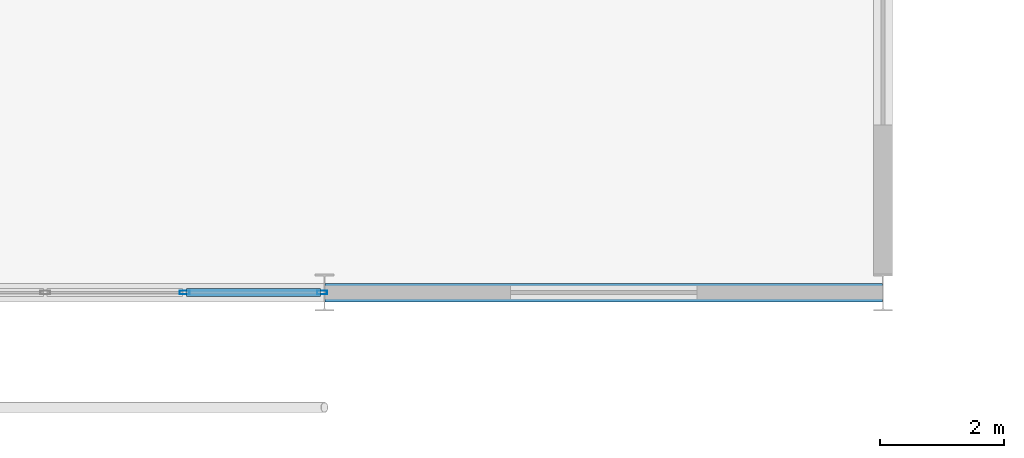
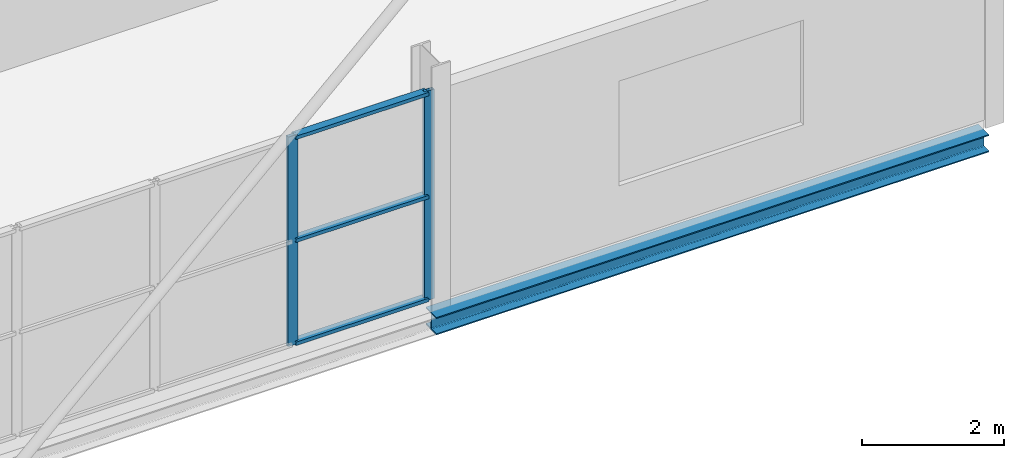
# One storey, part 32 of 59: 5 members, 1 beam, 1 element without a shape of its own.
"""IFC4 building model written with IfcOpenShell, lengths in metres."""

from ifc_helpers import new_model, si_unit, direction, frame, origin, origin_2d, place, context, subcontext, project, spatial, hollow_rectangle, i_section, extrude, material, layer, layer_set, material_profile, profile_set, type_object, element, aggregate, save


model = new_model("IFC4")

# Units and contexts
model_context = context("Model", 3, precision=1e-05, world=origin(), true_north=direction((0.0, 1.0)))
body_context = subcontext(model_context, "Body", "Model", "MODEL_VIEW")
ifc_project = project(units=[si_unit("LENGTHUNIT", "METRE"), si_unit("AREAUNIT", "SQUARE_METRE"), si_unit("VOLUMEUNIT", "CUBIC_METRE"), si_unit("PLANEANGLEUNIT", "RADIAN"), si_unit("MASSUNIT", "GRAM", prefix="KILO")], contexts=[model_context])

# Site, building, storey
site_placement = place(None, origin())
site = spatial("IfcSite", under=ifc_project, at=site_placement, CompositionType="ELEMENT")
building_placement = place(site_placement, origin())
building = spatial("IfcBuilding", under=site, at=building_placement, Name="Deido Ridge Mobility Hub", CompositionType="ELEMENT")
storey_placement = place(building_placement, frame((0.0, 0.0, 21.0)))
storey = spatial("IfcBuildingStorey", under=building, at=storey_placement, Name="L05", CompositionType="ELEMENT", Elevation=21.0)

# Curtain wall, members
ifc_material_1 = material(Name="Anodised aluminium EN AW-6063 T6", Category="aluminium")
ifc_layer = layer(ifc_material_1, 0.195068359375, Name="Anodised aluminium EN AW-6063 T6")
ifc_layer_set = layer_set([ifc_layer], Name="Anodised aluminium EN AW-6063 T6")
curtain_wall_type = type_object("IfcCurtainWallType", Name="CW-UF-3", PredefinedType="USERDEFINED", material=ifc_layer_set)
curtain_wall_placement = place(storey_placement, origin())
curtain_wall = element("IfcCurtainWall", 1, at=curtain_wall_placement, inside=storey, type_object=curtain_wall_type, Name="Unitised curtain wall CW3", ObjectType="UNITISED FACADE", PredefinedType="USERDEFINED")
ifc_material_profile_1 = material_profile(ifc_material_1, hollow_rectangle(XDim=0.06005859375, YDim=0.159912109375, WallThickness=0.00390625, at=origin_2d()), Name="RHS 60x160x4")
ifc_profile_set_1 = profile_set([ifc_material_profile_1], Name="Anodised aluminium EN AW-6063 T6")
member_type_1 = type_object("IfcMemberType", Name="MEM-MUL-60X160", PredefinedType="MULLION", material=ifc_profile_set_1)
member_1_placement = place(storey_placement, frame((168.74609375, 0.0, 0.0), z_axis=(0.0, 0.0, 1.0), x_axis=(0.0, 1.0, 0.0)))
member_1 = element("IfcMember", 2, at=member_1_placement, type_object=member_type_1, Name="CW3 mullion 4", PredefinedType="MULLION", context=body_context, shape_type="SweptSolid", body=[
    extrude(hollow_rectangle(XDim=0.06005859375, YDim=0.159912109375, WallThickness=0.00390625, at=origin_2d()), origin(), (0.0, 0.0, 1.0), 3.60009765625),
])
member_2_placement = place(storey_placement, frame((170.96240234375, 0.0, 0.0), z_axis=(0.0, 0.0, 1.0), x_axis=(0.0, 1.0, 0.0)))
member_2 = element("IfcMember", 3, at=member_2_placement, type_object=member_type_1, Name="CW3 mullion 5", PredefinedType="MULLION", context=body_context, shape_type="SweptSolid", body=[
    extrude(hollow_rectangle(XDim=0.06005859375, YDim=0.159912109375, WallThickness=0.00390625, at=origin_2d()), origin(), (0.0, 0.0, 1.0), 3.60009765625),
])
ifc_material_profile_2 = material_profile(ifc_material_1, hollow_rectangle(XDim=0.125, YDim=0.06005859375, WallThickness=0.00390625, at=origin_2d()), Name="RHS 125x60x4")
ifc_profile_set_2 = profile_set([ifc_material_profile_2], Name="Anodised aluminium EN AW-6063 T6")
member_type_2 = type_object("IfcMemberType", Name="MEM-TRN-125X60", PredefinedType="USERDEFINED", material=ifc_profile_set_2)
member_3_placement = place(storey_placement, frame((168.776123046875, 0.0, 0.030029296875), z_axis=(1.0, 0.0, 0.0), x_axis=(0.0, 1.0, 0.0)))
member_3 = element("IfcMember", 4, at=member_3_placement, type_object=member_type_2, Name="CW3 transom 4.1", ObjectType="TRANSOM", PredefinedType="USERDEFINED", context=body_context, shape_type="SweptSolid", body=[
    extrude(hollow_rectangle(XDim=0.125, YDim=0.06005859375, WallThickness=0.00390625, at=origin_2d()), origin(), (0.0, 0.0, 1.0), 2.15625),
])
member_4_placement = place(storey_placement, frame((168.776123046875, 0.0, 1.800048828125), z_axis=(1.0, 0.0, 0.0), x_axis=(0.0, 1.0, 0.0)))
member_4 = element("IfcMember", 5, at=member_4_placement, type_object=member_type_2, Name="CW3 transom 4.2", ObjectType="TRANSOM", PredefinedType="USERDEFINED", context=body_context, shape_type="SweptSolid", body=[
    extrude(hollow_rectangle(XDim=0.125, YDim=0.06005859375, WallThickness=0.00390625, at=origin_2d()), origin(), (0.0, 0.0, 1.0), 2.15625),
])
member_5_placement = place(storey_placement, frame((168.776123046875, 0.0, 3.570068359375), z_axis=(1.0, 0.0, 0.0), x_axis=(0.0, 1.0, 0.0)))
member_5 = element("IfcMember", 6, at=member_5_placement, type_object=member_type_2, Name="CW3 transom 4.3", ObjectType="TRANSOM", PredefinedType="USERDEFINED", context=body_context, shape_type="SweptSolid", body=[
    extrude(hollow_rectangle(XDim=0.125, YDim=0.06005859375, WallThickness=0.00390625, at=origin_2d()), origin(), (0.0, 0.0, 1.0), 2.15625),
])
aggregate(curtain_wall, [member_1, member_2, member_3, member_4, member_5])

# Beam
ifc_material_2 = material(Name="Steel S355J2 EN 10025-2", Category="steel")
ifc_material_profile_3 = material_profile(ifc_material_2, i_section(OverallWidth=0.300048828125, OverallDepth=0.300048828125, WebThickness=0.010986328125, FlangeThickness=0.01904296875, FilletRadius=0.027099609375, at=origin_2d()), Name="HEB 300")
ifc_profile_set_3 = profile_set([ifc_material_profile_3], Name="Steel S355J2 EN 10025-2")
beam_type = type_object("IfcBeamType", Name="SPD-HEB300", PredefinedType="SPANDREL", material=ifc_profile_set_3)
beam_placement = place(storey_placement, frame((171.0078125, 0.0, -0.39501953125), z_axis=(1.0, 0.0, 0.0), x_axis=(0.0, 1.0, 0.0)))
element("IfcBeam", 7, at=beam_placement, inside=storey, type_object=beam_type, Name="Floor beam SP1", PredefinedType="SPANDREL", context=body_context, shape_type="SweptSolid", body=[
    extrude(i_section(OverallWidth=0.300048828125, OverallDepth=0.300048828125, WebThickness=0.010986328125, FlangeThickness=0.01904296875, FilletRadius=0.027099609375, at=origin_2d()), origin(), (0.0, 0.0, 1.0), 8.984375),
])

save(model, "model.ifc")
